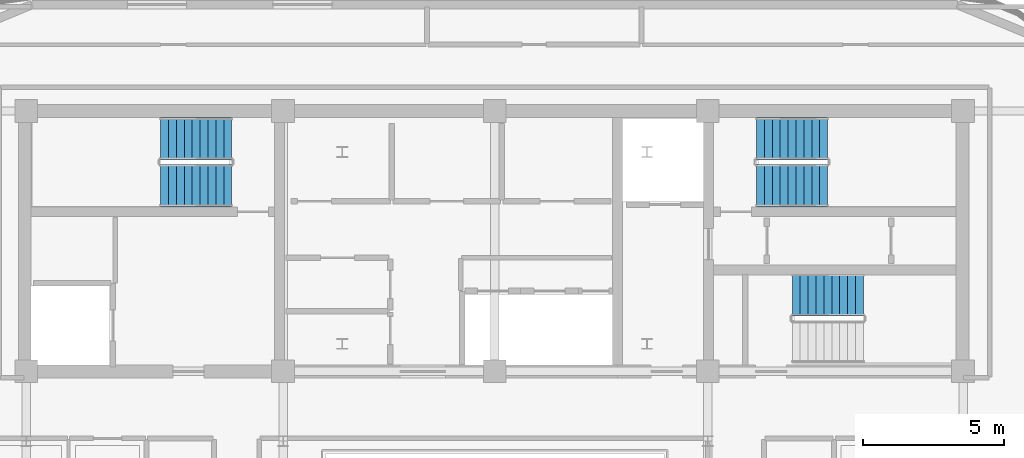
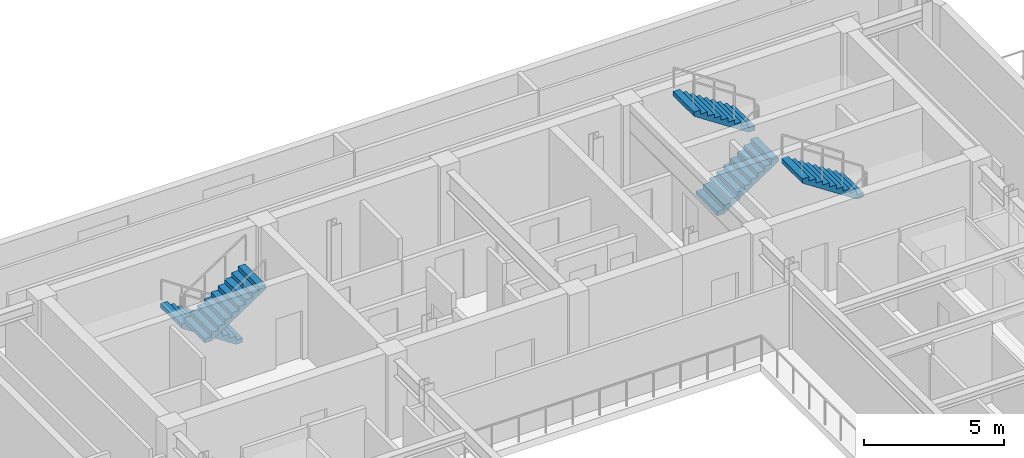
# One storey, part 11 of 14: 5 stair flights, 3 elements without a shape of their own.
"""IFC4 building model written with IfcOpenShell, lengths in metres."""

from ifc_helpers import new_model, si_unit, direction, frame, origin, place, context, subcontext, project, spatial, polyline, outline, extrude, material, layer, layer_set, type_object, element, aggregate, save


model = new_model("IFC4")

# Units and contexts
model_context = context("Model", 3, precision=1e-05, world=origin(), true_north=direction((0.0, 1.0)))
body_context = subcontext(model_context, "Body", "Model", "MODEL_VIEW")
ifc_project = project(units=[si_unit("LENGTHUNIT", "METRE"), si_unit("AREAUNIT", "SQUARE_METRE"), si_unit("VOLUMEUNIT", "CUBIC_METRE"), si_unit("PLANEANGLEUNIT", "RADIAN"), si_unit("MASSUNIT", "GRAM", prefix="KILO")], contexts=[model_context])

# Site, building, storey
site_placement = place(None, origin())
site = spatial("IfcSite", under=ifc_project, at=site_placement, CompositionType="ELEMENT")
building_placement = place(site_placement, origin())
building = spatial("IfcBuilding", under=site, at=building_placement, Name="Zarnavel Station Tower", CompositionType="ELEMENT")
storey_placement = place(building_placement, frame((0.0, 0.0, 243.60009765625)))
storey = spatial("IfcBuildingStorey", under=building, at=storey_placement, Name="L66", CompositionType="ELEMENT", Elevation=243.60009765625)

# Stair, stair flights
ifc_material_1 = material(Name="Concrete C45/55", Category="concrete")
stair_type = type_object("IfcStairType", Name="ST_CORE_150", PredefinedType="HALF_TURN_STAIR", material=ifc_material_1)
stair_1_placement = place(storey_placement, origin())
stair_1 = element("IfcStair", 1, at=stair_1_placement, inside=storey, type_object=stair_type, Name="L66 Core Exit Stair ST1", PredefinedType="HALF_TURN_STAIR")
ifc_material_2 = material(Name="Concrete C45/55", Category="concrete")
ifc_layer = layer(ifc_material_2, 0.179931640625)
ifc_layer_set = layer_set([ifc_layer], Name="ST_CORE_150_FLT")
stair_flight_type = type_object("IfcStairFlightType", Name="ST_CORE_150_FLT", PredefinedType="STRAIGHT", material=ifc_layer_set)
stair_flight_1_placement = place(storey_placement, frame((19.47998046875, 36.070068359375, 0.0), z_axis=(0.0, 0.0, 1.0), x_axis=(-1.0, 0.0, 0.0)))
stair_flight_1 = element("IfcStairFlight", 2, at=stair_flight_1_placement, type_object=stair_flight_type, Name="ST1 flight 1", NumberOfRisers=10, NumberOfTreads=9, PredefinedType="STRAIGHT", RiserHeight=0.185, TreadLength=0.28, context=body_context, shape_type="SweptSolid", body=[
    extrude(outline(polyline([(0.0, 0.0), (0.0, 0.18505859375), (0.280029296875, 0.18505859375), (0.280029296875, 0.3701171875), (0.56005859375, 0.3701171875), (0.56005859375, 0.554931640625), (0.840087890625, 0.554931640625), (0.840087890625, 0.739990234375), (1.1201171875, 0.739990234375), (1.1201171875, 0.925048828125), (1.39990234375, 0.925048828125), (1.39990234375, 1.110107421875), (1.679931640625, 1.110107421875), (1.679931640625, 1.294921875), (1.9599609375, 1.294921875), (1.9599609375, 1.47998046875), (2.239990234375, 1.47998046875), (2.239990234375, 1.6650390625), (2.52001953125, 1.6650390625), (2.52001953125, 1.85009765625), (2.52001953125, 1.4853515625), (0.27197265625, 0.0), (0.0, 0.0)])), frame((0.0, 0.75, 0.0), z_axis=(0.0, -1.0, 0.0), x_axis=(1.0, 0.0, 0.0)), (0.0, 0.0, 1.0), 1.5),
])
stair_flight_2_placement = place(storey_placement, frame((16.9599609375, 34.409912109375, 1.849853515625), z_axis=(0.0, 0.0, 1.0), x_axis=(1.0, 0.0, 0.0)))
stair_flight_2 = element("IfcStairFlight", 3, at=stair_flight_2_placement, type_object=stair_flight_type, Name="ST1 flight 2", NumberOfRisers=10, NumberOfTreads=9, PredefinedType="STRAIGHT", RiserHeight=0.185, TreadLength=0.28, context=body_context, shape_type="SweptSolid", body=[
    extrude(outline(polyline([(0.0, 0.0), (0.0, 0.18505859375), (0.280029296875, 0.18505859375), (0.280029296875, 0.3701171875), (0.56005859375, 0.3701171875), (0.56005859375, 0.554931640625), (0.840087890625, 0.554931640625), (0.840087890625, 0.739990234375), (1.1201171875, 0.739990234375), (1.1201171875, 0.925048828125), (1.39990234375, 0.925048828125), (1.39990234375, 1.110107421875), (1.679931640625, 1.110107421875), (1.679931640625, 1.294921875), (1.9599609375, 1.294921875), (1.9599609375, 1.47998046875), (2.239990234375, 1.47998046875), (2.239990234375, 1.6650390625), (2.52001953125, 1.6650390625), (2.52001953125, 1.85009765625), (2.52001953125, 1.4853515625), (0.27197265625, 0.0), (0.0, 0.0)])), frame((0.0, 0.75, 0.0), z_axis=(0.0, -1.0, 0.0), x_axis=(1.0, 0.0, 0.0)), (0.0, 0.0, 1.0), 1.5),
])
aggregate(stair_1, [stair_flight_1, stair_flight_2])

stair_2_placement = place(storey_placement, origin())
stair_2 = element("IfcStair", 4, at=stair_2_placement, inside=storey, type_object=stair_type, Name="L66 Core Exit Stair ST2", PredefinedType="HALF_TURN_STAIR")
stair_flight_3_placement = place(storey_placement, frame((38.080078125, 34.409912109375, 0.0), z_axis=(0.0, 0.0, 1.0), x_axis=(1.0, 0.0, 0.0)))
stair_flight_3 = element("IfcStairFlight", 5, at=stair_flight_3_placement, type_object=stair_flight_type, Name="ST2 flight 1", NumberOfRisers=10, NumberOfTreads=9, PredefinedType="STRAIGHT", RiserHeight=0.185, TreadLength=0.28, context=body_context, shape_type="SweptSolid", body=[
    extrude(outline(polyline([(0.0, 0.0), (0.0, 0.18505859375), (0.280029296875, 0.18505859375), (0.280029296875, 0.3701171875), (0.56005859375, 0.3701171875), (0.56005859375, 0.554931640625), (0.840087890625, 0.554931640625), (0.840087890625, 0.739990234375), (1.1201171875, 0.739990234375), (1.1201171875, 0.925048828125), (1.39990234375, 0.925048828125), (1.39990234375, 1.110107421875), (1.679931640625, 1.110107421875), (1.679931640625, 1.294921875), (1.9599609375, 1.294921875), (1.9599609375, 1.47998046875), (2.239990234375, 1.47998046875), (2.239990234375, 1.6650390625), (2.52001953125, 1.6650390625), (2.52001953125, 1.85009765625), (2.52001953125, 1.4853515625), (0.27197265625, 0.0), (0.0, 0.0)])), frame((0.0, 0.75, 0.0), z_axis=(0.0, -1.0, 0.0), x_axis=(1.0, 0.0, 0.0)), (0.0, 0.0, 1.0), 1.5),
])
stair_flight_4_placement = place(storey_placement, frame((40.60009765625, 36.070068359375, 1.849853515625), z_axis=(0.0, 0.0, 1.0), x_axis=(-1.0, 0.0, 0.0)))
stair_flight_4 = element("IfcStairFlight", 6, at=stair_flight_4_placement, type_object=stair_flight_type, Name="ST2 flight 2", NumberOfRisers=10, NumberOfTreads=9, PredefinedType="STRAIGHT", RiserHeight=0.185, TreadLength=0.28, context=body_context, shape_type="SweptSolid", body=[
    extrude(outline(polyline([(0.0, 0.0), (0.0, 0.18505859375), (0.280029296875, 0.18505859375), (0.280029296875, 0.3701171875), (0.56005859375, 0.3701171875), (0.56005859375, 0.554931640625), (0.840087890625, 0.554931640625), (0.840087890625, 0.739990234375), (1.1201171875, 0.739990234375), (1.1201171875, 0.925048828125), (1.39990234375, 0.925048828125), (1.39990234375, 1.110107421875), (1.679931640625, 1.110107421875), (1.679931640625, 1.294921875), (1.9599609375, 1.294921875), (1.9599609375, 1.47998046875), (2.239990234375, 1.47998046875), (2.239990234375, 1.6650390625), (2.52001953125, 1.6650390625), (2.52001953125, 1.85009765625), (2.52001953125, 1.4853515625), (0.27197265625, 0.0), (0.0, 0.0)])), frame((0.0, 0.75, 0.0), z_axis=(0.0, -1.0, 0.0), x_axis=(1.0, 0.0, 0.0)), (0.0, 0.0, 1.0), 1.5),
])
aggregate(stair_2, [stair_flight_3, stair_flight_4])

# Stair, stair flight
stair_3_placement = place(storey_placement, origin())
stair_3 = element("IfcStair", 7, at=stair_3_placement, inside=storey, type_object=stair_type, Name="L66 Core Exit Stair ST3", PredefinedType="HALF_TURN_STAIR")
stair_flight_5_placement = place(storey_placement, frame((41.8701171875, 30.530029296875, 1.849853515625), z_axis=(0.0, 0.0, 1.0), x_axis=(-1.0, 0.0, 0.0)))
stair_flight_5 = element("IfcStairFlight", 8, at=stair_flight_5_placement, type_object=stair_flight_type, Name="ST3 flight 2", NumberOfRisers=10, NumberOfTreads=9, PredefinedType="STRAIGHT", RiserHeight=0.185, TreadLength=0.28, context=body_context, shape_type="SweptSolid", body=[
    extrude(outline(polyline([(0.0, 0.0), (0.0, 0.18505859375), (0.280029296875, 0.18505859375), (0.280029296875, 0.3701171875), (0.56005859375, 0.3701171875), (0.56005859375, 0.554931640625), (0.840087890625, 0.554931640625), (0.840087890625, 0.739990234375), (1.1201171875, 0.739990234375), (1.1201171875, 0.925048828125), (1.39990234375, 0.925048828125), (1.39990234375, 1.110107421875), (1.679931640625, 1.110107421875), (1.679931640625, 1.294921875), (1.9599609375, 1.294921875), (1.9599609375, 1.47998046875), (2.239990234375, 1.47998046875), (2.239990234375, 1.6650390625), (2.52001953125, 1.6650390625), (2.52001953125, 1.85009765625), (2.52001953125, 1.4853515625), (0.27197265625, 0.0), (0.0, 0.0)])), frame((0.0, 0.75, 0.0), z_axis=(0.0, -1.0, 0.0), x_axis=(1.0, 0.0, 0.0)), (0.0, 0.0, 1.0), 1.5),
])
aggregate(stair_3, [stair_flight_5])

save(model, "model.ifc")
